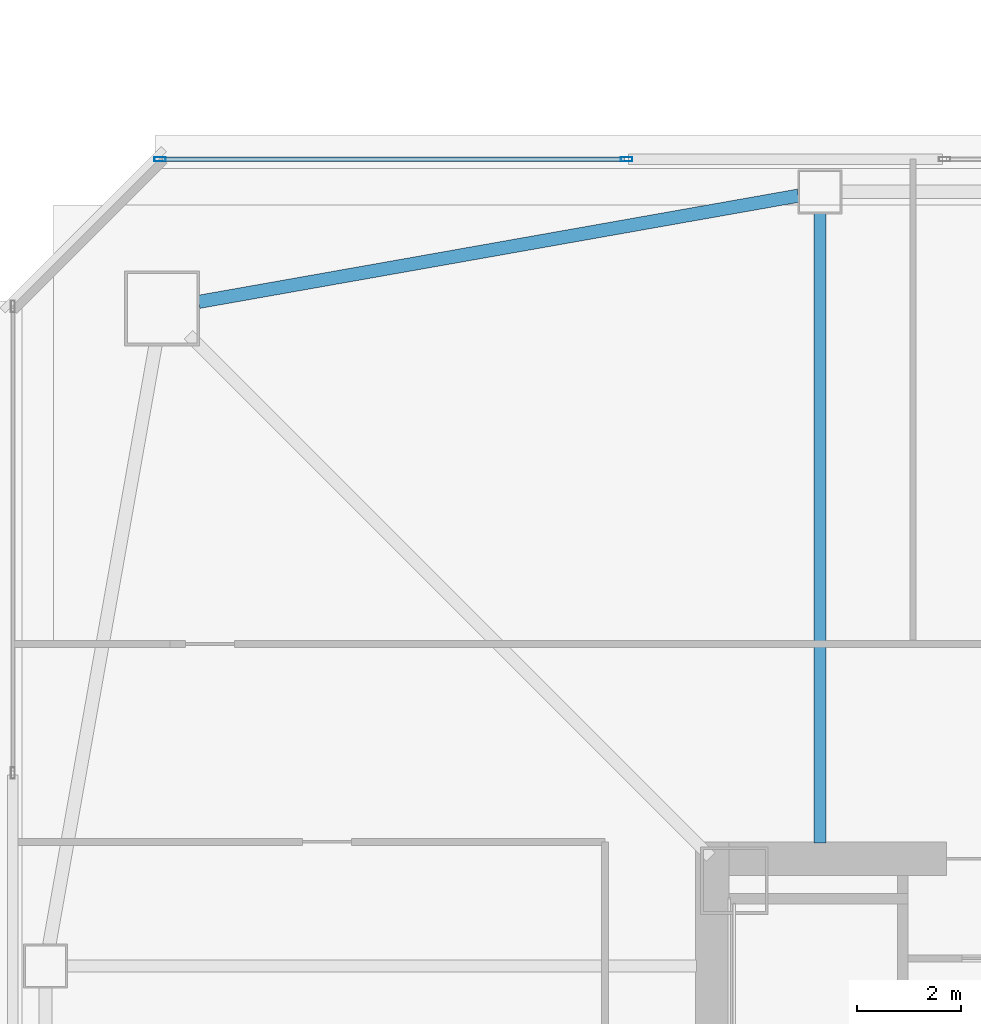
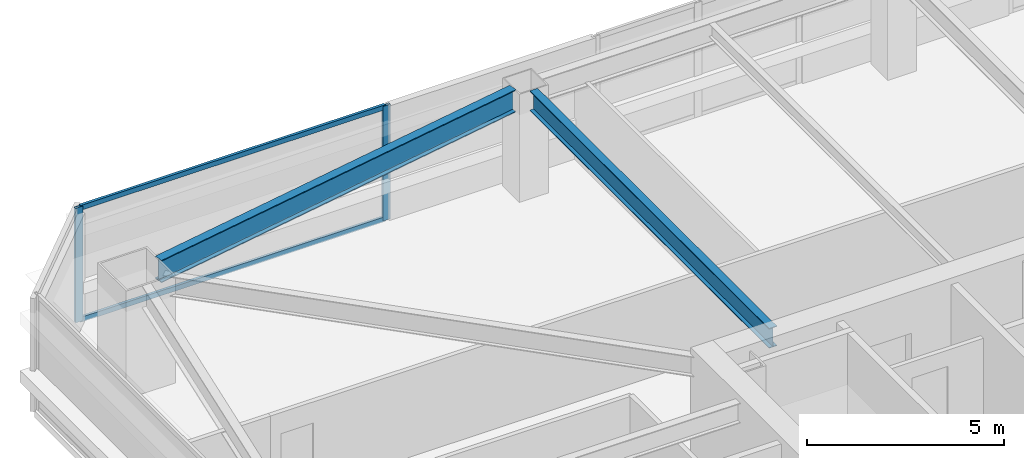
# One storey, part 12 of 44: 4 members, 2 beams, 1 element without a shape of its own.
"""IFC4 building model written with IfcOpenShell, lengths in metres."""

from ifc_helpers import new_model, si_unit, direction, frame, origin, origin_2d, place, context, subcontext, project, spatial, hollow_rectangle, i_section, extrude, material, material_profile, profile_set, type_object, element, aggregate, save


model = new_model("IFC4")

# Units and contexts
model_context = context("Model", 3, precision=1e-05, world=origin(), true_north=direction((0.0, 1.0)))
body_context = subcontext(model_context, "Body", "Model", "MODEL_VIEW")
ifc_project = project(units=[si_unit("LENGTHUNIT", "METRE"), si_unit("AREAUNIT", "SQUARE_METRE"), si_unit("VOLUMEUNIT", "CUBIC_METRE"), si_unit("PLANEANGLEUNIT", "RADIAN"), si_unit("MASSUNIT", "GRAM", prefix="KILO")], contexts=[model_context])

# Site, building, storey
site_placement = place(None, origin())
site = spatial("IfcSite", under=ifc_project, at=site_placement, CompositionType="ELEMENT")
building_placement = place(site_placement, origin())
building = spatial("IfcBuilding", under=site, at=building_placement, Name="Tashvorn Skyway Center", CompositionType="ELEMENT")
storey_placement = place(building_placement, frame((0.0, 0.0, 92.050048828125)))
storey = spatial("IfcBuildingStorey", under=building, at=storey_placement, Name="L24", CompositionType="ELEMENT", Elevation=92.050048828125)

# Beams
ifc_material_1 = material(Name="Steel ASTM A992 Grade 50", Category="steel")
ifc_material_profile_1 = material_profile(ifc_material_1, i_section(OverallWidth=0.22998046875, OverallDepth=0.616943359375, WebThickness=0.01318359375, FlangeThickness=0.022216796875, at=origin_2d()), Name="W24X94")
ifc_profile_set_1 = profile_set([ifc_material_profile_1], Name="Steel ASTM A992 Grade 50")
beam_type_1 = type_object("IfcBeamType", Name="BM-BEAM-W24X94", PredefinedType="BEAM", material=ifc_profile_set_1)
beam_1_placement = place(storey_placement, frame((36.60009765625, 51.929931640625, 3.04150390625), z_axis=(0.0, -1.0, 0.0), x_axis=(1.0, 0.0, 0.0)))
element("IfcBeam", 1, at=beam_1_placement, inside=storey, type_object=beam_type_1, Name="Tower 1 L24 Primary Floor Girder FC-N2", PredefinedType="BEAM", context=body_context, shape_type="SweptSolid", body=[
    extrude(i_section(OverallWidth=0.22998046875, OverallDepth=0.616943359375, WebThickness=0.01318359375, FlangeThickness=0.022216796875, at=origin_2d()), origin(), (0.0, 0.0, 1.0), 12.14990234375),
])
ifc_material_profile_2 = material_profile(ifc_material_1, i_section(OverallWidth=0.256103515625, OverallDepth=0.693115234375, WebThickness=0.014404296875, FlangeThickness=0.023681640625, at=origin_2d()), Name="W27X114")
ifc_profile_set_2 = profile_set([ifc_material_profile_2], Name="Steel ASTM A992 Grade 50")
beam_type_2 = type_object("IfcBeamType", Name="BM-SPANDREL-W27X114", PredefinedType="SPANDREL", material=ifc_profile_set_2)
beam_2_placement = place(storey_placement, frame((36.1865234375, 52.276611328125, 3.00341796875), z_axis=(-0.98466816531, -0.174437966698, 0.0), x_axis=(0.174437966698, -0.98466816531, 0.0)))
element("IfcBeam", 2, at=beam_2_placement, inside=storey, type_object=beam_type_2, Name="Tower 1 L24 Spandrel Beam 09", PredefinedType="SPANDREL", context=body_context, shape_type="SweptSolid", body=[
    extrude(i_section(OverallWidth=0.256103515625, OverallDepth=0.693115234375, WebThickness=0.014404296875, FlangeThickness=0.023681640625, at=origin_2d()), origin(), (0.0, 0.0, 1.0), 11.7578125),
])

# Curtain wall, members
ifc_material_2 = material(Name="Thermally broken bronze-anodized aluminium 6063-T6", Category="aluminium")
curtain_wall_type = type_object("IfcCurtainWallType", Name="CW-CW-Z2", PredefinedType="NOTDEFINED", material=ifc_material_2)
curtain_wall_placement = place(storey_placement, origin())
curtain_wall = element("IfcCurtainWall", 3, at=curtain_wall_placement, inside=storey, type_object=curtain_wall_type, Name="Tower 1 L24 North Unitised Curtain Wall Glazing Group 1", PredefinedType="NOTDEFINED")
ifc_material_profile_3 = material_profile(ifc_material_2, hollow_rectangle(XDim=0.080078125, YDim=0.219970703125, WallThickness=0.0048828125, at=origin_2d()), Name="ALU-MULL-80x220")
ifc_profile_set_3 = profile_set([ifc_material_profile_3], Name="Thermally broken bronze-anodized aluminium 6063-T6")
member_type_1 = type_object("IfcMemberType", Name="CWM-CW-Z2", PredefinedType="MULLION", material=ifc_profile_set_3)
member_1_placement = place(storey_placement, frame((23.860107421875, 52.97998046875, 0.0), z_axis=(0.0, 0.0, 1.0), x_axis=(0.0, 1.0, 0.0)))
member_1 = element("IfcMember", 4, at=member_1_placement, type_object=member_type_1, Name="CW-Z2 mullion 1", PredefinedType="MULLION", context=body_context, shape_type="SweptSolid", body=[
    extrude(hollow_rectangle(XDim=0.080078125, YDim=0.219970703125, WallThickness=0.0048828125, at=origin_2d()), origin(), (0.0, 0.0, 1.0), 3.550048828125),
])
member_2_placement = place(storey_placement, frame((32.8701171875, 52.97998046875, 0.0), z_axis=(0.0, 0.0, 1.0), x_axis=(0.0, 1.0, 0.0)))
member_2 = element("IfcMember", 5, at=member_2_placement, type_object=member_type_1, Name="CW-Z2 mullion 2", PredefinedType="MULLION", context=body_context, shape_type="SweptSolid", body=[
    extrude(hollow_rectangle(XDim=0.080078125, YDim=0.219970703125, WallThickness=0.0048828125, at=origin_2d()), origin(), (0.0, 0.0, 1.0), 3.550048828125),
])
ifc_material_profile_4 = material_profile(ifc_material_2, hollow_rectangle(XDim=0.080078125, YDim=0.14990234375, WallThickness=0.00439453125, at=origin_2d()), Name="ALU-TRAN-80x150")
ifc_profile_set_4 = profile_set([ifc_material_profile_4], Name="Thermally broken bronze-anodized aluminium 6063-T6")
member_type_2 = type_object("IfcMemberType", Name="CWT-CW-Z2", PredefinedType="USERDEFINED", material=ifc_profile_set_4)
member_3_placement = place(storey_placement, frame((23.89990234375, 52.97998046875, 0.0400390625), z_axis=(1.0, 0.0, 0.0), x_axis=(0.0, 1.0, 0.0)))
member_3 = element("IfcMember", 6, at=member_3_placement, type_object=member_type_2, Name="CW-Z2 transom 1.1", ObjectType="TRANSOM", PredefinedType="USERDEFINED", context=body_context, shape_type="SweptSolid", body=[
    extrude(hollow_rectangle(XDim=0.080078125, YDim=0.14990234375, WallThickness=0.00439453125, at=origin_2d()), origin(), (0.0, 0.0, 1.0), 8.93017578125),
])
member_4_placement = place(storey_placement, frame((23.89990234375, 52.97998046875, 3.510009765625), z_axis=(1.0, 0.0, 0.0), x_axis=(0.0, 1.0, 0.0)))
member_4 = element("IfcMember", 7, at=member_4_placement, type_object=member_type_2, Name="CW-Z2 transom 1.2", ObjectType="TRANSOM", PredefinedType="USERDEFINED", context=body_context, shape_type="SweptSolid", body=[
    extrude(hollow_rectangle(XDim=0.080078125, YDim=0.14990234375, WallThickness=0.00439453125, at=origin_2d()), origin(), (0.0, 0.0, 1.0), 8.93017578125),
])
aggregate(curtain_wall, [member_1, member_2, member_3, member_4])

save(model, "model.ifc")
